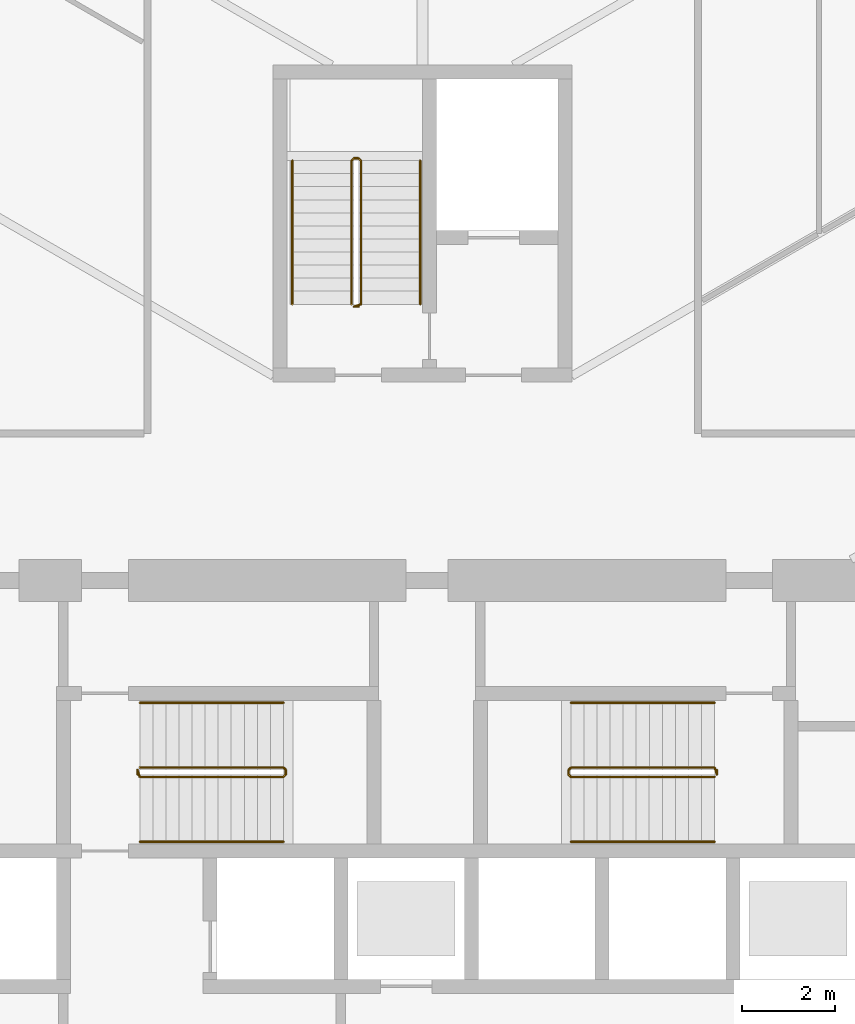
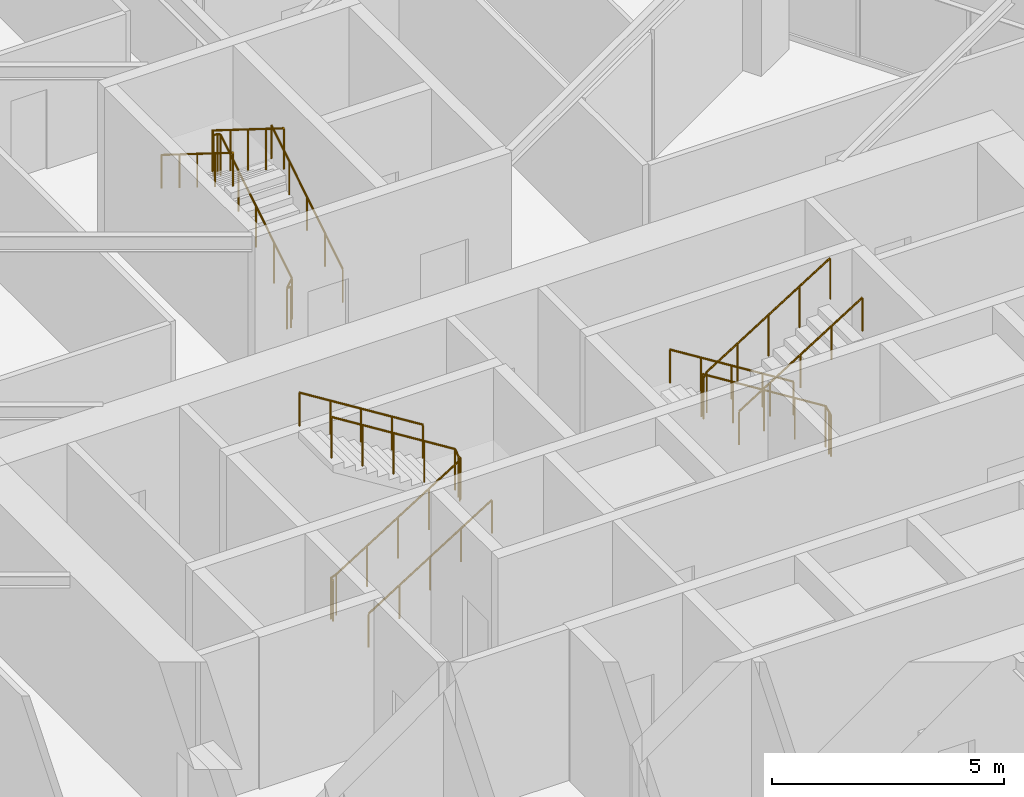
# One storey, part 28 of 29: 9 railings.
"""IFC4 building model written with IfcOpenShell, lengths in metres."""

from ifc_helpers import new_model, si_unit, direction, frame, origin, origin_2d, place, context, subcontext, project, spatial, circle, extrude, material, type_object, element, save


model = new_model("IFC4")

# Units and contexts
model_context = context("Model", 3, precision=1e-05, world=origin(), true_north=direction((0.0, 1.0)))
body_context = subcontext(model_context, "Body", "Model", "MODEL_VIEW")
ifc_project = project(units=[si_unit("LENGTHUNIT", "METRE"), si_unit("AREAUNIT", "SQUARE_METRE"), si_unit("VOLUMEUNIT", "CUBIC_METRE"), si_unit("PLANEANGLEUNIT", "RADIAN"), si_unit("MASSUNIT", "GRAM", prefix="KILO")], contexts=[model_context])

# Site, building, storey
site_placement = place(None, origin())
site = spatial("IfcSite", under=ifc_project, at=site_placement, CompositionType="ELEMENT")
building_placement = place(site_placement, origin())
building = spatial("IfcBuilding", under=site, at=building_placement, Name="Firuza Gate Tower and Library", CompositionType="ELEMENT")
storey_placement = place(building_placement, frame((0.0, 0.0, 44.199951171875)))
storey = spatial("IfcBuildingStorey", under=building, at=storey_placement, Name="L09", CompositionType="ELEMENT", Elevation=44.199951171875)

# Railings
ifc_material_1 = material(Name="Steel S355", Category="steel")
railing_type_1 = type_object("IfcRailingType", Name="Stair guard 1100", PredefinedType="GUARDRAIL", material=ifc_material_1)
railing_1_placement = place(storey_placement, frame((68.889892578125, 79.389892578125, 0.0)))
element("IfcRailing", 1, at=railing_1_placement, inside=storey, type_object=railing_type_1, Name="L09 ST1 stair guard 1", PredefinedType="GUARDRAIL", context=body_context, shape_type="SweptSolid", body=[
    extrude(circle(Radius=0.02392578125, at=origin_2d()), frame((0.0, 0.0, 1.076171875), z_axis=(0.0, 1.0, 0.0), x_axis=(-1.0, 0.0, 0.0)), (0.0, 0.0, 1.0), 0.10009765625),
    extrude(circle(Radius=0.02392578125, at=origin_2d()), frame((0.0, 0.10009765625, 1.076171875), z_axis=(0.21222055169, -0.635626432867, 0.742254319813), x_axis=(0.948528701346, 0.316691178788, 0.0)), (0.0, 0.0, 1.0), 0.23583984375),
    extrude(circle(Radius=0.02392578125, at=origin_2d()), frame((0.050048828125, -0.0498046875, 1.2509765625), z_axis=(0.847998304005, 0.0, 0.529998940003), x_axis=(0.0, 1.0, 0.0)), (0.0, 0.0, 1.0), 3.632080078125),
    extrude(circle(Radius=0.02392578125, at=origin_2d()), frame((3.130126953125, -0.0498046875, 3.17626953125), z_axis=(0.708833529934, 0.705375805398, 0.0), x_axis=(-0.705375805398, 0.708833529934, 0.0)), (0.0, 0.0, 1.0), 0.070556640625),
    extrude(circle(Radius=0.02392578125, at=origin_2d()), frame((3.18017578125, 0.0, 3.17626953125), z_axis=(0.0, 1.0, 0.0), x_axis=(-1.0, 0.0, 0.0)), (0.0, 0.0, 1.0), 0.10009765625),
    extrude(circle(Radius=0.02392578125, at=origin_2d()), frame((3.18017578125, 0.10009765625, 3.17626953125), z_axis=(-0.265065253269, 0.265065253269, 0.927081885822), x_axis=(-0.707106781187, -0.707106781187, 0.0)), (0.0, 0.0, 1.0), 0.188720703125),
    extrude(circle(Radius=0.02392578125, at=origin_2d()), frame((3.130126953125, 0.150146484375, 3.35107421875), z_axis=(-0.848028513186, 0.0, 0.529950602248), x_axis=(0.0, -1.0, 0.0)), (0.0, 0.0, 1.0), 3.632080078125),
    extrude(circle(Radius=0.02099609375, at=origin_2d()), origin(), (0.0, 0.0, 1.0), 1.052001953125),
    extrude(circle(Radius=0.02099609375, at=origin_2d()), frame((0.0, 0.10009765625, 0.0)), (0.0, 0.0, 1.0), 1.052001953125),
    extrude(circle(Radius=0.02099609375, at=origin_2d()), frame((0.050048828125, -0.0498046875, 0.175048828125)), (0.0, 0.0, 1.0), 1.052001953125),
    extrude(circle(Radius=0.02099609375, at=origin_2d()), frame((0.820068359375, -0.0498046875, 0.65625)), (0.0, 0.0, 1.0), 1.052001953125),
    extrude(circle(Radius=0.02099609375, at=origin_2d()), frame((1.590087890625, -0.0498046875, 1.1376953125)), (0.0, 0.0, 1.0), 1.052001953125),
    extrude(circle(Radius=0.02099609375, at=origin_2d()), frame((2.360107421875, -0.0498046875, 1.618896484375)), (0.0, 0.0, 1.0), 1.052001953125),
    extrude(circle(Radius=0.02099609375, at=origin_2d()), frame((3.130126953125, -0.0498046875, 2.10009765625)), (0.0, 0.0, 1.0), 1.052001953125),
    extrude(circle(Radius=0.02099609375, at=origin_2d()), frame((3.18017578125, 0.0, 2.10009765625)), (0.0, 0.0, 1.0), 1.052001953125),
    extrude(circle(Radius=0.02099609375, at=origin_2d()), frame((3.18017578125, 0.10009765625, 2.10009765625)), (0.0, 0.0, 1.0), 1.052001953125),
    extrude(circle(Radius=0.02099609375, at=origin_2d()), frame((3.130126953125, 0.150146484375, 2.275146484375)), (0.0, 0.0, 1.0), 1.052001953125),
    extrude(circle(Radius=0.02099609375, at=origin_2d()), frame((2.360107421875, 0.150146484375, 2.75634765625)), (0.0, 0.0, 1.0), 1.052001953125),
    extrude(circle(Radius=0.02099609375, at=origin_2d()), frame((1.590087890625, 0.150146484375, 3.237548828125)), (0.0, 0.0, 1.0), 1.052001953125),
    extrude(circle(Radius=0.02099609375, at=origin_2d()), frame((0.820068359375, 0.150146484375, 3.71875)), (0.0, 0.0, 1.0), 1.052001953125),
    extrude(circle(Radius=0.02099609375, at=origin_2d()), frame((0.050048828125, 0.150146484375, 4.199951171875)), (0.0, 0.0, 1.0), 1.052001953125),
])
railing_2_placement = place(storey_placement, frame((81.31005859375, 79.489990234375, 0.0)))
element("IfcRailing", 2, at=railing_2_placement, inside=storey, type_object=railing_type_1, Name="L09 ST2 stair guard 1", PredefinedType="GUARDRAIL", context=body_context, shape_type="SweptSolid", body=[
    extrude(circle(Radius=0.02392578125, at=origin_2d()), frame((0.0, 0.0, 1.076171875), z_axis=(0.0, -1.0, 0.0), x_axis=(1.0, 0.0, 0.0)), (0.0, 0.0, 1.0), 0.10009765625),
    extrude(circle(Radius=0.02392578125, at=origin_2d()), frame((0.0, -0.10009765625, 1.076171875), z_axis=(-0.212080931658, 0.636242794973, 0.741765990237), x_axis=(-0.948683298051, -0.316227766017, 0.0)), (0.0, 0.0, 1.0), 0.236083984375),
    extrude(circle(Radius=0.02392578125, at=origin_2d()), frame((-0.050048828125, 0.050048828125, 1.2509765625), z_axis=(-0.847998304005, 0.0, 0.529998940003), x_axis=(0.0, -1.0, 0.0)), (0.0, 0.0, 1.0), 3.632080078125),
    extrude(circle(Radius=0.02392578125, at=origin_2d()), frame((-3.130126953125, 0.050048828125, 3.17626953125), z_axis=(-0.707106781187, -0.707106781187, 0.0), x_axis=(0.707106781187, -0.707106781187, 0.0)), (0.0, 0.0, 1.0), 0.07080078125),
    extrude(circle(Radius=0.02392578125, at=origin_2d()), frame((-3.18017578125, 0.0, 3.17626953125), z_axis=(0.0, -1.0, 0.0), x_axis=(1.0, 0.0, 0.0)), (0.0, 0.0, 1.0), 0.10009765625),
    extrude(circle(Radius=0.02392578125, at=origin_2d()), frame((-3.18017578125, -0.10009765625, 3.17626953125), z_axis=(0.265155923931, -0.263862480399, 0.927399011991), x_axis=(0.705375805398, 0.708833529934, 0.0)), (0.0, 0.0, 1.0), 0.188720703125),
    extrude(circle(Radius=0.02392578125, at=origin_2d()), frame((-3.130126953125, -0.14990234375, 3.35107421875), z_axis=(0.848028513186, 0.0, 0.529950602248), x_axis=(0.0, 1.0, 0.0)), (0.0, 0.0, 1.0), 3.632080078125),
    extrude(circle(Radius=0.02099609375, at=origin_2d()), origin(), (0.0, 0.0, 1.0), 1.052001953125),
    extrude(circle(Radius=0.02099609375, at=origin_2d()), frame((0.0, -0.10009765625, 0.0)), (0.0, 0.0, 1.0), 1.052001953125),
    extrude(circle(Radius=0.02099609375, at=origin_2d()), frame((-0.050048828125, 0.050048828125, 0.175048828125)), (0.0, 0.0, 1.0), 1.052001953125),
    extrude(circle(Radius=0.02099609375, at=origin_2d()), frame((-0.820068359375, 0.050048828125, 0.65625)), (0.0, 0.0, 1.0), 1.052001953125),
    extrude(circle(Radius=0.02099609375, at=origin_2d()), frame((-1.590087890625, 0.050048828125, 1.1376953125)), (0.0, 0.0, 1.0), 1.052001953125),
    extrude(circle(Radius=0.02099609375, at=origin_2d()), frame((-2.360107421875, 0.050048828125, 1.618896484375)), (0.0, 0.0, 1.0), 1.052001953125),
    extrude(circle(Radius=0.02099609375, at=origin_2d()), frame((-3.130126953125, 0.050048828125, 2.10009765625)), (0.0, 0.0, 1.0), 1.052001953125),
    extrude(circle(Radius=0.02099609375, at=origin_2d()), frame((-3.18017578125, 0.0, 2.10009765625)), (0.0, 0.0, 1.0), 1.052001953125),
    extrude(circle(Radius=0.02099609375, at=origin_2d()), frame((-3.18017578125, -0.10009765625, 2.10009765625)), (0.0, 0.0, 1.0), 1.052001953125),
    extrude(circle(Radius=0.02099609375, at=origin_2d()), frame((-3.130126953125, -0.14990234375, 2.275146484375)), (0.0, 0.0, 1.0), 1.052001953125),
    extrude(circle(Radius=0.02099609375, at=origin_2d()), frame((-2.360107421875, -0.14990234375, 2.75634765625)), (0.0, 0.0, 1.0), 1.052001953125),
    extrude(circle(Radius=0.02099609375, at=origin_2d()), frame((-1.590087890625, -0.14990234375, 3.237548828125)), (0.0, 0.0, 1.0), 1.052001953125),
    extrude(circle(Radius=0.02099609375, at=origin_2d()), frame((-0.820068359375, -0.14990234375, 3.71875)), (0.0, 0.0, 1.0), 1.052001953125),
    extrude(circle(Radius=0.02099609375, at=origin_2d()), frame((-0.050048828125, -0.14990234375, 4.199951171875)), (0.0, 0.0, 1.0), 1.052001953125),
])
railing_3_placement = place(storey_placement, frame((73.6298828125, 89.419921875, 0.0)))
element("IfcRailing", 3, at=railing_3_placement, inside=storey, type_object=railing_type_1, Name="L09 ST3 stair guard 1", PredefinedType="GUARDRAIL", context=body_context, shape_type="SweptSolid", body=[
    extrude(circle(Radius=0.02392578125, at=origin_2d()), frame((0.0, 0.0, 1.076171875), z_axis=(-1.0, 0.0, 0.0), x_axis=(0.0, -1.0, 0.0)), (0.0, 0.0, 1.0), 0.099853515625),
    extrude(circle(Radius=0.02392578125, at=origin_2d()), frame((-0.099853515625, 0.0, 1.076171875), z_axis=(0.635626432867, 0.21222055169, 0.742254319813), x_axis=(-0.316691178788, 0.948528701346, 0.0)), (0.0, 0.0, 1.0), 0.23583984375),
    extrude(circle(Radius=0.02392578125, at=origin_2d()), frame((0.050048828125, 0.050048828125, 1.2509765625), z_axis=(0.0, 0.847998304005, 0.529998940003), x_axis=(-1.0, 0.0, 0.0)), (0.0, 0.0, 1.0), 3.632080078125),
    extrude(circle(Radius=0.02392578125, at=origin_2d()), frame((0.050048828125, 3.130126953125, 3.17626953125), z_axis=(-0.707106781187, 0.707106781187, 0.0), x_axis=(-0.707106781187, -0.707106781187, 0.0)), (0.0, 0.0, 1.0), 0.07080078125),
    extrude(circle(Radius=0.02392578125, at=origin_2d()), frame((0.0, 3.18017578125, 3.17626953125), z_axis=(-1.0, 0.0, 0.0), x_axis=(0.0, -1.0, 0.0)), (0.0, 0.0, 1.0), 0.099853515625),
    extrude(circle(Radius=0.02392578125, at=origin_2d()), frame((-0.099853515625, 3.18017578125, 3.17626953125), z_axis=(-0.265065253269, -0.265065253269, 0.927081885822), x_axis=(0.707106781187, -0.707106781187, 0.0)), (0.0, 0.0, 1.0), 0.188720703125),
    extrude(circle(Radius=0.02392578125, at=origin_2d()), frame((-0.14990234375, 3.130126953125, 3.35107421875), z_axis=(0.0, -0.848028513186, 0.529950602248), x_axis=(1.0, 0.0, 0.0)), (0.0, 0.0, 1.0), 3.632080078125),
    extrude(circle(Radius=0.02099609375, at=origin_2d()), origin(), (0.0, 0.0, 1.0), 1.052001953125),
    extrude(circle(Radius=0.02099609375, at=origin_2d()), frame((-0.099853515625, 0.0, 0.0)), (0.0, 0.0, 1.0), 1.052001953125),
    extrude(circle(Radius=0.02099609375, at=origin_2d()), frame((0.050048828125, 0.050048828125, 0.175048828125)), (0.0, 0.0, 1.0), 1.052001953125),
    extrude(circle(Radius=0.02099609375, at=origin_2d()), frame((0.050048828125, 0.820068359375, 0.65625)), (0.0, 0.0, 1.0), 1.052001953125),
    extrude(circle(Radius=0.02099609375, at=origin_2d()), frame((0.050048828125, 1.590087890625, 1.1376953125)), (0.0, 0.0, 1.0), 1.052001953125),
    extrude(circle(Radius=0.02099609375, at=origin_2d()), frame((0.050048828125, 2.360107421875, 1.618896484375)), (0.0, 0.0, 1.0), 1.052001953125),
    extrude(circle(Radius=0.02099609375, at=origin_2d()), frame((0.050048828125, 3.130126953125, 2.10009765625)), (0.0, 0.0, 1.0), 1.052001953125),
    extrude(circle(Radius=0.02099609375, at=origin_2d()), frame((0.0, 3.18017578125, 2.10009765625)), (0.0, 0.0, 1.0), 1.052001953125),
    extrude(circle(Radius=0.02099609375, at=origin_2d()), frame((-0.099853515625, 3.18017578125, 2.10009765625)), (0.0, 0.0, 1.0), 1.052001953125),
    extrude(circle(Radius=0.02099609375, at=origin_2d()), frame((-0.14990234375, 3.130126953125, 2.275146484375)), (0.0, 0.0, 1.0), 1.052001953125),
    extrude(circle(Radius=0.02099609375, at=origin_2d()), frame((-0.14990234375, 2.360107421875, 2.75634765625)), (0.0, 0.0, 1.0), 1.052001953125),
    extrude(circle(Radius=0.02099609375, at=origin_2d()), frame((-0.14990234375, 1.590087890625, 3.237548828125)), (0.0, 0.0, 1.0), 1.052001953125),
    extrude(circle(Radius=0.02099609375, at=origin_2d()), frame((-0.14990234375, 0.820068359375, 3.71875)), (0.0, 0.0, 1.0), 1.052001953125),
    extrude(circle(Radius=0.02099609375, at=origin_2d()), frame((-0.14990234375, 0.050048828125, 4.199951171875)), (0.0, 0.0, 1.0), 1.052001953125),
])
ifc_material_2 = material(Name="Steel S355", Category="steel")
railing_type_2 = type_object("IfcRailingType", Name="Stair handrail 900", PredefinedType="HANDRAIL", material=ifc_material_2)
railing_4_placement = place(storey_placement, frame((68.93994140625, 77.949951171875, 0.175048828125)))
element("IfcRailing", 4, at=railing_4_placement, inside=storey, type_object=railing_type_2, Name="L09 ST1 stair handrail 1", PredefinedType="HANDRAIL", context=body_context, shape_type="SweptSolid", body=[
    extrude(circle(Radius=0.02392578125, at=origin_2d()), frame((0.0, 0.0, 0.8759765625), z_axis=(0.847998304005, 0.0, 0.529998940003), x_axis=(0.0, 1.0, 0.0)), (0.0, 0.0, 1.0), 3.632080078125),
    extrude(circle(Radius=0.02099609375, at=origin_2d()), origin(), (0.0, 0.0, 1.0), 0.851806640625),
    extrude(circle(Radius=0.02099609375, at=origin_2d()), frame((0.77001953125, 0.0, 0.481201171875)), (0.0, 0.0, 1.0), 0.851806640625),
    extrude(circle(Radius=0.02099609375, at=origin_2d()), frame((1.5400390625, 0.0, 0.96240234375)), (0.0, 0.0, 1.0), 0.851806640625),
    extrude(circle(Radius=0.02099609375, at=origin_2d()), frame((2.31005859375, 0.0, 1.44384765625)), (0.0, 0.0, 1.0), 0.851806640625),
    extrude(circle(Radius=0.02099609375, at=origin_2d()), frame((3.080078125, 0.0, 1.925048828125)), (0.0, 0.0, 1.0), 0.851806640625),
])
railing_5_placement = place(storey_placement, frame((72.02001953125, 80.929931640625, 2.275146484375)))
element("IfcRailing", 5, at=railing_5_placement, inside=storey, type_object=railing_type_2, Name="L09 ST1 stair handrail 2", PredefinedType="HANDRAIL", context=body_context, shape_type="SweptSolid", body=[
    extrude(circle(Radius=0.02392578125, at=origin_2d()), frame((0.0, 0.0, 0.8759765625), z_axis=(-0.848028513186, 0.0, 0.529950602248), x_axis=(0.0, -1.0, 0.0)), (0.0, 0.0, 1.0), 3.632080078125),
    extrude(circle(Radius=0.02099609375, at=origin_2d()), origin(), (0.0, 0.0, 1.0), 0.851806640625),
    extrude(circle(Radius=0.02099609375, at=origin_2d()), frame((-0.77001953125, 0.0, 0.481201171875)), (0.0, 0.0, 1.0), 0.851806640625),
    extrude(circle(Radius=0.02099609375, at=origin_2d()), frame((-1.5400390625, 0.0, 0.96240234375)), (0.0, 0.0, 1.0), 0.851806640625),
    extrude(circle(Radius=0.02099609375, at=origin_2d()), frame((-2.31005859375, 0.0, 1.443603515625)), (0.0, 0.0, 1.0), 0.851806640625),
    extrude(circle(Radius=0.02099609375, at=origin_2d()), frame((-3.080078125, 0.0, 1.9248046875)), (0.0, 0.0, 1.0), 0.851806640625),
])
railing_6_placement = place(storey_placement, frame((81.260009765625, 80.929931640625, 0.175048828125)))
element("IfcRailing", 6, at=railing_6_placement, inside=storey, type_object=railing_type_2, Name="L09 ST2 stair handrail 1", PredefinedType="HANDRAIL", context=body_context, shape_type="SweptSolid", body=[
    extrude(circle(Radius=0.02392578125, at=origin_2d()), frame((0.0, 0.0, 0.8759765625), z_axis=(-0.847998304005, 0.0, 0.529998940003), x_axis=(0.0, -1.0, 0.0)), (0.0, 0.0, 1.0), 3.632080078125),
    extrude(circle(Radius=0.02099609375, at=origin_2d()), origin(), (0.0, 0.0, 1.0), 0.851806640625),
    extrude(circle(Radius=0.02099609375, at=origin_2d()), frame((-0.77001953125, 0.0, 0.481201171875)), (0.0, 0.0, 1.0), 0.851806640625),
    extrude(circle(Radius=0.02099609375, at=origin_2d()), frame((-1.5400390625, 0.0, 0.96240234375)), (0.0, 0.0, 1.0), 0.851806640625),
    extrude(circle(Radius=0.02099609375, at=origin_2d()), frame((-2.31005859375, 0.0, 1.44384765625)), (0.0, 0.0, 1.0), 0.851806640625),
    extrude(circle(Radius=0.02099609375, at=origin_2d()), frame((-3.080078125, 0.0, 1.925048828125)), (0.0, 0.0, 1.0), 0.851806640625),
])
railing_7_placement = place(storey_placement, frame((78.179931640625, 77.949951171875, 2.275146484375)))
element("IfcRailing", 7, at=railing_7_placement, inside=storey, type_object=railing_type_2, Name="L09 ST2 stair handrail 2", PredefinedType="HANDRAIL", context=body_context, shape_type="SweptSolid", body=[
    extrude(circle(Radius=0.02392578125, at=origin_2d()), frame((0.0, 0.0, 0.8759765625), z_axis=(0.848028513186, 0.0, 0.529950602248), x_axis=(0.0, 1.0, 0.0)), (0.0, 0.0, 1.0), 3.632080078125),
    extrude(circle(Radius=0.02099609375, at=origin_2d()), origin(), (0.0, 0.0, 1.0), 0.851806640625),
    extrude(circle(Radius=0.02099609375, at=origin_2d()), frame((0.77001953125, 0.0, 0.481201171875)), (0.0, 0.0, 1.0), 0.851806640625),
    extrude(circle(Radius=0.02099609375, at=origin_2d()), frame((1.5400390625, 0.0, 0.96240234375)), (0.0, 0.0, 1.0), 0.851806640625),
    extrude(circle(Radius=0.02099609375, at=origin_2d()), frame((2.31005859375, 0.0, 1.443603515625)), (0.0, 0.0, 1.0), 0.851806640625),
    extrude(circle(Radius=0.02099609375, at=origin_2d()), frame((3.080078125, 0.0, 1.9248046875)), (0.0, 0.0, 1.0), 0.851806640625),
])
railing_8_placement = place(storey_placement, frame((74.949951171875, 89.469970703125, 0.175048828125)))
element("IfcRailing", 8, at=railing_8_placement, inside=storey, type_object=railing_type_2, Name="L09 ST3 stair handrail 1", PredefinedType="HANDRAIL", context=body_context, shape_type="SweptSolid", body=[
    extrude(circle(Radius=0.02392578125, at=origin_2d()), frame((0.0, 0.0, 0.8759765625), z_axis=(0.0, 0.847998304005, 0.529998940003), x_axis=(-1.0, 0.0, 0.0)), (0.0, 0.0, 1.0), 3.632080078125),
    extrude(circle(Radius=0.02099609375, at=origin_2d()), origin(), (0.0, 0.0, 1.0), 0.851806640625),
    extrude(circle(Radius=0.02099609375, at=origin_2d()), frame((0.0, 0.77001953125, 0.481201171875)), (0.0, 0.0, 1.0), 0.851806640625),
    extrude(circle(Radius=0.02099609375, at=origin_2d()), frame((0.0, 1.5400390625, 0.96240234375)), (0.0, 0.0, 1.0), 0.851806640625),
    extrude(circle(Radius=0.02099609375, at=origin_2d()), frame((0.0, 2.31005859375, 1.44384765625)), (0.0, 0.0, 1.0), 0.851806640625),
    extrude(circle(Radius=0.02099609375, at=origin_2d()), frame((0.0, 3.080078125, 1.925048828125)), (0.0, 0.0, 1.0), 0.851806640625),
])
railing_9_placement = place(storey_placement, frame((72.2099609375, 92.550048828125, 2.275146484375)))
element("IfcRailing", 9, at=railing_9_placement, inside=storey, type_object=railing_type_2, Name="L09 ST3 stair handrail 2", PredefinedType="HANDRAIL", context=body_context, shape_type="SweptSolid", body=[
    extrude(circle(Radius=0.02392578125, at=origin_2d()), frame((0.0, 0.0, 0.8759765625), z_axis=(0.0, -0.848028513186, 0.529950602248), x_axis=(1.0, 0.0, 0.0)), (0.0, 0.0, 1.0), 3.632080078125),
    extrude(circle(Radius=0.02099609375, at=origin_2d()), origin(), (0.0, 0.0, 1.0), 0.851806640625),
    extrude(circle(Radius=0.02099609375, at=origin_2d()), frame((0.0, -0.77001953125, 0.481201171875)), (0.0, 0.0, 1.0), 0.851806640625),
    extrude(circle(Radius=0.02099609375, at=origin_2d()), frame((0.0, -1.5400390625, 0.96240234375)), (0.0, 0.0, 1.0), 0.851806640625),
    extrude(circle(Radius=0.02099609375, at=origin_2d()), frame((0.0, -2.31005859375, 1.443603515625)), (0.0, 0.0, 1.0), 0.851806640625),
    extrude(circle(Radius=0.02099609375, at=origin_2d()), frame((0.0, -3.080078125, 1.9248046875)), (0.0, 0.0, 1.0), 0.851806640625),
])

save(model, "model.ifc")
